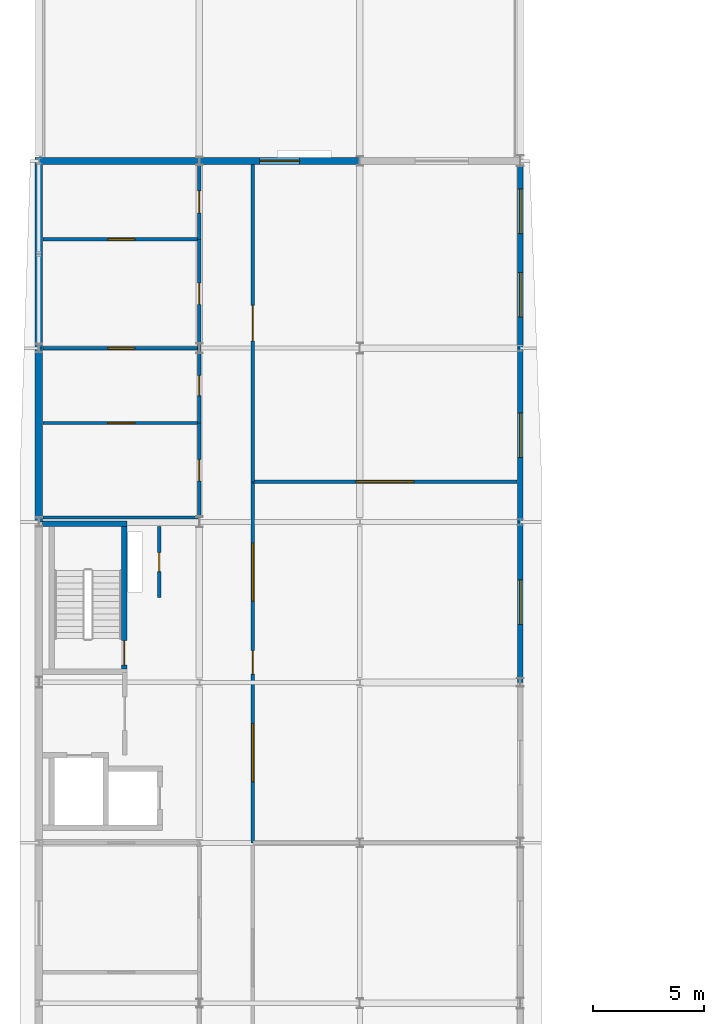
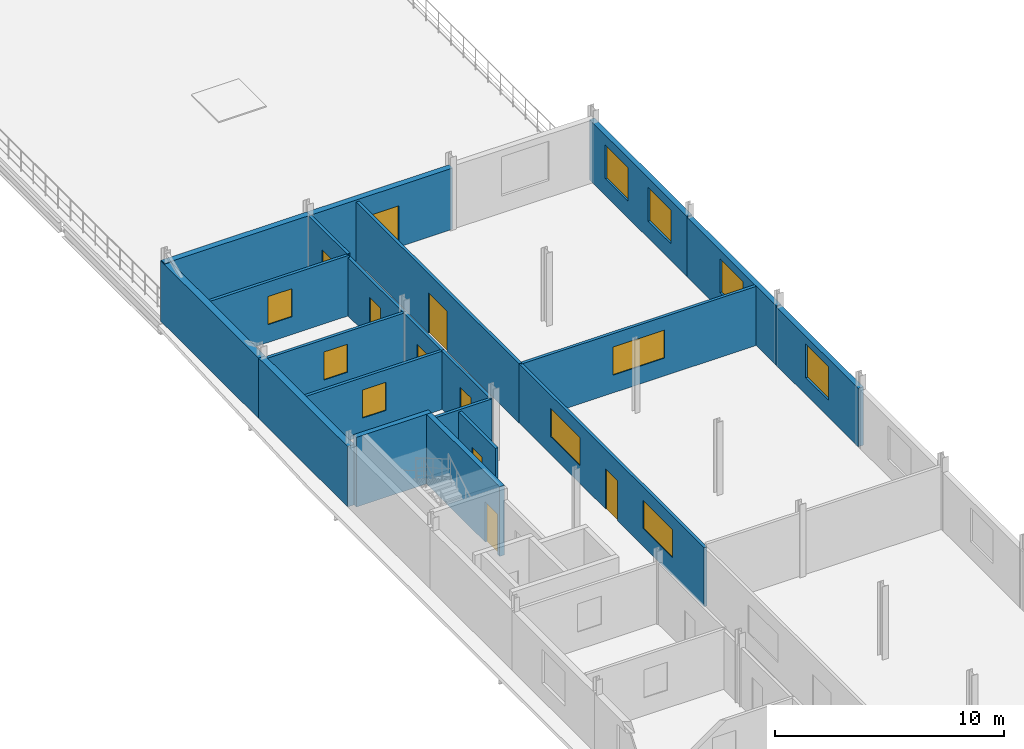
# One storey, part 14 of 17: 21 walls, 10 windows, 9 doors, 19 openings.
"""IFC4 building model written with IfcOpenShell, lengths in metres."""

from ifc_helpers import new_model, si_unit, direction, frame, frame_2d, origin, place, context, subcontext, project, spatial, rectangle, extrude, material, layer, layer_set, type_object, element, fill, save


model = new_model("IFC4")

# Units and contexts
model_context = context("Model", 3, precision=1e-05, world=origin(), true_north=direction((0.0, 1.0)))
body_context = subcontext(model_context, "Body", "Model", "MODEL_VIEW")
ifc_project = project(units=[si_unit("LENGTHUNIT", "METRE"), si_unit("AREAUNIT", "SQUARE_METRE"), si_unit("VOLUMEUNIT", "CUBIC_METRE"), si_unit("PLANEANGLEUNIT", "RADIAN"), si_unit("MASSUNIT", "GRAM", prefix="KILO")], contexts=[model_context])

# Site, building, storey
site_placement = place(None, origin())
site = spatial("IfcSite", under=ifc_project, at=site_placement, CompositionType="ELEMENT")
building_placement = place(site_placement, origin())
building = spatial("IfcBuilding", under=site, at=building_placement, Name="Vinh Khe Railworks Police Headquarters", CompositionType="ELEMENT")
storey_placement = place(building_placement, frame((0.0, 0.0, 24.89990234375)))
storey = spatial("IfcBuildingStorey", under=building, at=storey_placement, Name="L06", CompositionType="ELEMENT", Elevation=24.89990234375)

# Wall
ifc_material_1 = material(Name="Concrete C40/50 (B40)", Category="concrete")
ifc_layer_1 = layer(ifc_material_1, 0.25)
ifc_layer_set_1 = layer_set([ifc_layer_1], Name="Concrete C40/50 (B40)")
wall_type_1 = type_object("IfcWallType", Name="Core Shear Wall 250", PredefinedType="SHEAR", material=ifc_layer_set_1)
wall_1_placement = place(storey_placement, frame((0.75, 88.125, 0.0), z_axis=(0.0, 0.0, 1.0), x_axis=(1.0, 0.0, 0.0)))
element("IfcWall", 1, at=wall_1_placement, inside=storey, type_object=wall_type_1, Name="Core C2 STAIR-N Shear Wall (L06)", PredefinedType="SHEAR", context=body_context, shape_type="SweptSolid", body=[
    extrude(rectangle(XDim=3.800048828125, YDim=0.25, at=frame_2d((1.89990234375, 0.0))), origin(), (0.0, 0.0, 1.0), 3.72021484375),
])

# Wall, opening, door
wall_2_placement = place(storey_placement, frame((4.425048828125, 81.60009765625, 0.0), z_axis=(0.0, 0.0, 1.0), x_axis=(0.0, 1.0, 0.0)))
wall_2 = element("IfcWall", 2, at=wall_2_placement, inside=storey, type_object=wall_type_1, Name="Core C2 STAIR-E Shear Wall (L06)", PredefinedType="SHEAR", context=body_context, shape_type="SweptSolid", body=[
    extrude(rectangle(XDim=6.39990234375, YDim=0.25, at=frame_2d((3.199951171875, 0.0))), origin(), (0.0, 0.0, 1.0), 3.72021484375),
])
opening_1_placement = place(wall_2_placement, frame((0.169921875, 0.0, 0.0)))
opening_1 = element("IfcOpeningElement", 3, at=opening_1_placement, cuts=wall_2, Name="Opening FD-01", PredefinedType="OPENING", context=body_context, shape_type="SweptSolid", body=[
    extrude(rectangle(XDim=1.10009765625, YDim=2.14990234375, at=frame_2d((0.550048828125, 1.074951171875))), frame((0.0, 0.139892578125, 0.0), z_axis=(0.0, -1.0, 0.0), x_axis=(1.0, 0.0, 0.0)), (0.0, 0.0, 1.0), 0.27978515625),
])
ifc_material_2 = material(Name="Painted galvanised steel", Category="steel")
door_type_1 = type_object("IfcDoorType", Name="FD-1100x2150", OperationType="NOTDEFINED", PredefinedType="DOOR", material=ifc_material_2)
door_1_placement = place(opening_1_placement, frame((1.10009765625, 0.0, 0.0), z_axis=(0.0, 0.0, 1.0), x_axis=(-1.0, 0.0, 0.0)))
door_1 = element("IfcDoor", 4, at=door_1_placement, inside=storey, type_object=door_type_1, Name="Escape Stair ST-02 Fire Door L06", OperationType="SINGLE_SWING_LEFT", OverallHeight=2.14990234375, OverallWidth=1.10009765625, PredefinedType="DOOR", context=body_context, shape_type="SweptSolid", body=[
    extrude(rectangle(XDim=1.10009765625, YDim=2.14990234375, at=frame_2d((0.550048828125, 1.074951171875))), frame((0.0, 0.02490234375, 0.0), z_axis=(0.0, -1.0, 0.0), x_axis=(1.0, 0.0, 0.0)), (0.0, 0.0, 1.0), 0.050048828125),
])
fill(opening_1, door_1)

# Wall, opening, window
ifc_material_3 = material(Name="Clay brickwork", Category="masonry")
ifc_layer_2 = layer(ifc_material_3, 0.260009765625)
ifc_layer_set_2 = layer_set([ifc_layer_2], Name="Clay brickwork")
wall_type_2 = type_object("IfcWallType", Name="EW-BRK-260", PredefinedType="SOLIDWALL", material=ifc_layer_set_2)
wall_3_placement = place(storey_placement, frame((22.199951171875, 81.0, 0.0), z_axis=(0.0, 0.0, 1.0), x_axis=(0.0, 1.0, 0.0)))
wall_3 = element("IfcWall", 5, at=wall_3_placement, inside=storey, type_object=wall_type_2, Name="Exterior Brick Wall EW-L06-V5E-11", PredefinedType="SOLIDWALL", context=body_context, shape_type="SweptSolid", body=[
    extrude(rectangle(XDim=7.199951171875, YDim=0.260009765625, at=frame_2d((3.60009765625, 0.0))), origin(), (0.0, 0.0, 1.0), 3.114990234375),
])
opening_2_placement = place(wall_3_placement, frame((2.60009765625, 0.0, 0.89990234375)))
opening_2 = element("IfcOpeningElement", 6, at=opening_2_placement, cuts=wall_3, Name="Opening WN-04", PredefinedType="OPENING", context=body_context, shape_type="SweptSolid", body=[
    extrude(rectangle(XDim=2.0, YDim=1.800048828125, at=frame_2d((1.0, 0.89990234375))), frame((0.0, 0.14501953125, 0.0), z_axis=(0.0, -1.0, 0.0), x_axis=(1.0, 0.0, 0.0)), (0.0, 0.0, 1.0), 0.289794921875),
])
ifc_material_4 = material(Name="Double-glazed solar-control glass in dark steel frame", Category="steel")
window_type_1 = type_object("IfcWindowType", Name="WIN-WN-04", PartitioningType="DOUBLE_PANEL_VERTICAL", PredefinedType="WINDOW", material=ifc_material_4)
window_1_placement = place(opening_2_placement, origin())
window_1 = element("IfcWindow", 7, at=window_1_placement, inside=storey, type_object=window_type_1, Name="Casement Window WN-04", OverallHeight=1.800048828125, OverallWidth=2.0, PartitioningType="SINGLE_PANEL", PredefinedType="WINDOW", context=body_context, shape_type="SweptSolid", body=[
    extrude(rectangle(XDim=2.0, YDim=1.800048828125, at=frame_2d((1.0, 0.89990234375))), frame((0.0, 0.030029296875, 0.0), z_axis=(0.0, -1.0, 0.0), x_axis=(1.0, 0.0, 0.0)), (0.0, 0.0, 1.0), 0.06005859375),
])
fill(opening_2, window_1)

wall_4_placement = place(storey_placement, frame((22.199951171875, 88.199951171875, 0.0), z_axis=(0.0, 0.0, 1.0), x_axis=(0.0, 1.0, 0.0)))
wall_4 = element("IfcWall", 8, at=wall_4_placement, inside=storey, type_object=wall_type_2, Name="Exterior Brick Wall EW-L06-V5E-12", PredefinedType="SOLIDWALL", context=body_context, shape_type="SweptSolid", body=[
    extrude(rectangle(XDim=7.800048828125, YDim=0.260009765625, at=frame_2d((3.89990234375, 0.0))), origin(), (0.0, 0.0, 1.0), 3.1650390625),
])
opening_3_placement = place(wall_4_placement, frame((2.89990234375, 0.0, 0.89990234375)))
opening_3 = element("IfcOpeningElement", 9, at=opening_3_placement, cuts=wall_4, Name="Opening WN-04", PredefinedType="OPENING", context=body_context, shape_type="SweptSolid", body=[
    extrude(rectangle(XDim=2.0, YDim=1.800048828125, at=frame_2d((1.0, 0.89990234375))), frame((0.0, 0.14501953125, 0.0), z_axis=(0.0, -1.0, 0.0), x_axis=(1.0, 0.0, 0.0)), (0.0, 0.0, 1.0), 0.289794921875),
])
window_2_placement = place(opening_3_placement, origin())
window_2 = element("IfcWindow", 10, at=window_2_placement, inside=storey, type_object=window_type_1, Name="Casement Window WN-04", OverallHeight=1.800048828125, OverallWidth=2.0, PartitioningType="SINGLE_PANEL", PredefinedType="WINDOW", context=body_context, shape_type="SweptSolid", body=[
    extrude(rectangle(XDim=2.0, YDim=1.800048828125, at=frame_2d((1.0, 0.89990234375))), frame((0.0, 0.030029296875, 0.0), z_axis=(0.0, -1.0, 0.0), x_axis=(1.0, 0.0, 0.0)), (0.0, 0.0, 1.0), 0.06005859375),
])
fill(opening_3, window_2)

# Wall, openings, windows
wall_5_placement = place(storey_placement, frame((22.199951171875, 96.0, 0.0), z_axis=(0.0, 0.0, 1.0), x_axis=(0.0, 1.0, 0.0)))
wall_5 = element("IfcWall", 11, at=wall_5_placement, inside=storey, type_object=wall_type_2, Name="Exterior Brick Wall EW-L06-V5E-13", PredefinedType="SOLIDWALL", context=body_context, shape_type="SweptSolid", body=[
    extrude(rectangle(XDim=8.530029296875, YDim=0.260009765625, at=frame_2d((4.26513671875, 0.0))), origin(), (0.0, 0.0, 1.0), 3.215087890625),
])
opening_4_placement = place(wall_5_placement, frame((1.388427734375, 0.0, 0.89990234375)))
opening_4 = element("IfcOpeningElement", 12, at=opening_4_placement, cuts=wall_5, Name="Opening WN-04", PredefinedType="OPENING", context=body_context, shape_type="SweptSolid", body=[
    extrude(rectangle(XDim=2.0, YDim=1.800048828125, at=frame_2d((1.0, 0.89990234375))), frame((0.0, 0.14501953125, 0.0), z_axis=(0.0, -1.0, 0.0), x_axis=(1.0, 0.0, 0.0)), (0.0, 0.0, 1.0), 0.289794921875),
])
opening_5_placement = place(wall_5_placement, frame((5.1416015625, 0.0, 0.89990234375)))
opening_5 = element("IfcOpeningElement", 13, at=opening_5_placement, cuts=wall_5, Name="Opening WN-04", PredefinedType="OPENING", context=body_context, shape_type="SweptSolid", body=[
    extrude(rectangle(XDim=2.0, YDim=1.800048828125, at=frame_2d((1.0, 0.89990234375))), frame((0.0, 0.14501953125, 0.0), z_axis=(0.0, -1.0, 0.0), x_axis=(1.0, 0.0, 0.0)), (0.0, 0.0, 1.0), 0.289794921875),
])
window_3_placement = place(opening_4_placement, origin())
window_3 = element("IfcWindow", 14, at=window_3_placement, inside=storey, type_object=window_type_1, Name="Casement Window WN-04", OverallHeight=1.800048828125, OverallWidth=2.0, PartitioningType="SINGLE_PANEL", PredefinedType="WINDOW", context=body_context, shape_type="SweptSolid", body=[
    extrude(rectangle(XDim=2.0, YDim=1.800048828125, at=frame_2d((1.0, 0.89990234375))), frame((0.0, 0.030029296875, 0.0), z_axis=(0.0, -1.0, 0.0), x_axis=(1.0, 0.0, 0.0)), (0.0, 0.0, 1.0), 0.06005859375),
])
fill(opening_4, window_3)
window_4_placement = place(opening_5_placement, origin())
window_4 = element("IfcWindow", 15, at=window_4_placement, inside=storey, type_object=window_type_1, Name="Casement Window WN-04", OverallHeight=1.800048828125, OverallWidth=2.0, PartitioningType="SINGLE_PANEL", PredefinedType="WINDOW", context=body_context, shape_type="SweptSolid", body=[
    extrude(rectangle(XDim=2.0, YDim=1.800048828125, at=frame_2d((1.0, 0.89990234375))), frame((0.0, 0.030029296875, 0.0), z_axis=(0.0, -1.0, 0.0), x_axis=(1.0, 0.0, 0.0)), (0.0, 0.0, 1.0), 0.06005859375),
])
fill(opening_5, window_4)

# Wall
ifc_layer_3 = layer(ifc_material_3, 0.300048828125)
ifc_layer_set_3 = layer_set([ifc_layer_3], Name="Clay brickwork")
wall_type_3 = type_object("IfcWallType", Name="EW-BRK-300", PredefinedType="SOLIDWALL", material=ifc_layer_set_3)
wall_6_placement = place(storey_placement, frame((0.449951171875, 104.39990234375, 0.0), z_axis=(0.0, 0.0, 1.0), x_axis=(1.0, 0.0, 0.0)))
element("IfcWall", 16, at=wall_6_placement, inside=storey, type_object=wall_type_3, Name="Exterior Brick Wall EW-L06-V5N-01", PredefinedType="SOLIDWALL", context=body_context, shape_type="SweptSolid", body=[
    extrude(rectangle(XDim=7.35009765625, YDim=0.300048828125, at=frame_2d((3.675048828125, 0.0))), origin(), (0.0, 0.0, 1.0), 3.26513671875),
])

# Wall, opening, door
wall_7_placement = place(storey_placement, frame((7.800048828125, 104.39990234375, 0.0), z_axis=(0.0, 0.0, 1.0), x_axis=(1.0, 0.0, 0.0)))
wall_7 = element("IfcWall", 17, at=wall_7_placement, inside=storey, type_object=wall_type_3, Name="Exterior Brick Wall EW-L06-V5N-02", PredefinedType="SOLIDWALL", context=body_context, shape_type="SweptSolid", body=[
    extrude(rectangle(XDim=7.199951171875, YDim=0.300048828125, at=frame_2d((3.60009765625, 0.0))), origin(), (0.0, 0.0, 1.0), 3.26513671875),
])
opening_6_placement = place(wall_7_placement, frame((2.699951171875, 0.0, 0.0)))
opening_6 = element("IfcOpeningElement", 18, at=opening_6_placement, cuts=wall_7, Name="Opening ED-03", PredefinedType="OPENING", context=body_context, shape_type="SweptSolid", body=[
    extrude(rectangle(XDim=1.800048828125, YDim=2.199951171875, at=frame_2d((0.89990234375, 1.10009765625))), frame((0.0, 0.1650390625, 0.0), z_axis=(0.0, -1.0, 0.0), x_axis=(1.0, 0.0, 0.0)), (0.0, 0.0, 1.0), 0.329833984375),
])
ifc_material_5 = material(Name="Dark anodised aluminium and solar-control glass", Category="aluminium")
door_type_2 = type_object("IfcDoorType", Name="ED-TER-1800", OperationType="DOUBLE_DOOR_SINGLE_SWING", PredefinedType="DOOR", material=ifc_material_5)
door_2_placement = place(opening_6_placement, origin())
door_2 = element("IfcDoor", 19, at=door_2_placement, inside=storey, type_object=door_type_2, Name="North Planted Roof Terrace Access Door", OperationType="DOUBLE_DOOR_SINGLE_SWING", OverallHeight=2.199951171875, OverallWidth=1.800048828125, PredefinedType="DOOR", context=body_context, shape_type="SweptSolid", body=[
    extrude(rectangle(XDim=1.800048828125, YDim=2.199951171875, at=frame_2d((0.89990234375, 1.10009765625))), frame((0.0, 0.02490234375, 0.0), z_axis=(0.0, -1.0, 0.0), x_axis=(1.0, 0.0, 0.0)), (0.0, 0.0, 1.0), 0.050048828125),
])
fill(opening_6, door_2)

# Walls
ifc_layer_4 = layer(ifc_material_3, 0.340087890625)
ifc_layer_set_4 = layer_set([ifc_layer_4], Name="Clay brickwork")
wall_type_4 = type_object("IfcWallType", Name="EW-BRK-340", PredefinedType="SOLIDWALL", material=ifc_layer_set_4)
wall_8_placement = place(storey_placement, frame((0.60009765625, 88.199951171875, 0.0), z_axis=(0.0, 0.0, 1.0), x_axis=(0.0, 1.0, 0.0)))
element("IfcWall", 20, at=wall_8_placement, inside=storey, type_object=wall_type_4, Name="Exterior Brick Wall EW-L06-V5W-12", PredefinedType="SOLIDWALL", context=body_context, shape_type="SweptSolid", body=[
    extrude(rectangle(XDim=7.800048828125, YDim=0.340087890625, at=frame_2d((3.89990234375, 0.0))), origin(), (0.0, 0.0, 1.0), 3.22509765625),
])
wall_9_placement = place(storey_placement, frame((0.60009765625, 96.0, 0.0), z_axis=(0.0, 0.0, 1.0), x_axis=(0.0, 1.0, 0.0)))
element("IfcWall", 21, at=wall_9_placement, inside=storey, type_object=wall_type_4, Name="Exterior Brick Wall EW-L06-V5W-13", PredefinedType="SOLIDWALL", context=body_context, shape_type="SweptSolid", body=[
    extrude(rectangle(XDim=8.570068359375, YDim=0.340087890625, at=frame_2d((4.28515625, 0.0))), origin(), (0.0, 0.0, 1.0), 3.22509765625),
])

# Wall, opening, window
ifc_material_6 = material(Name="Gypsum plasterboard on steel stud", Category="steel")
ifc_layer_5 = layer(ifc_material_6, 0.1201171875)
ifc_layer_set_5 = layer_set([ifc_layer_5], Name="Gypsum plasterboard on steel stud")
wall_type_5 = type_object("IfcWallType", Name="IW-PART-120", PredefinedType="PARTITIONING", material=ifc_layer_set_5)
wall_10_placement = place(storey_placement, frame((0.780029296875, 92.64208984375, 0.0), z_axis=(0.0, 0.0, 1.0), x_axis=(1.0, 0.0, 0.0)))
wall_10 = element("IfcWall", 22, at=wall_10_placement, inside=storey, type_object=wall_type_5, Name="Interior Partition W-L06-V5-WCL6S-DIV", PredefinedType="PARTITIONING", context=body_context, shape_type="SweptSolid", body=[
    extrude(rectangle(XDim=7.02001953125, YDim=0.14990234375, at=frame_2d((3.510009765625, 0.0))), origin(), (0.0, 0.0, 1.0), 3.114990234375),
])
opening_7_placement = place(wall_10_placement, frame((2.909912109375, 0.0, 0.949951171875)))
opening_7 = element("IfcOpeningElement", 23, at=opening_7_placement, cuts=wall_10, Name="Opening WN-10", PredefinedType="OPENING", context=body_context, shape_type="SweptSolid", body=[
    extrude(rectangle(XDim=1.199951171875, YDim=1.5, at=frame_2d((0.60009765625, 0.75))), frame((0.0, 0.08984375, 0.0), z_axis=(0.0, -1.0, 0.0), x_axis=(1.0, 0.0, 0.0)), (0.0, 0.0, 1.0), 0.1796875),
])
window_type_2 = type_object("IfcWindowType", Name="WIN-WN-10", PartitioningType="SINGLE_PANEL", PredefinedType="WINDOW", material=ifc_material_4)
window_5_placement = place(opening_7_placement, origin())
window_5 = element("IfcWindow", 24, at=window_5_placement, inside=storey, type_object=window_type_2, Name="Interior Acoustic Vision Window WN-10", OverallHeight=1.5, OverallWidth=1.199951171875, PartitioningType="SINGLE_PANEL", PredefinedType="WINDOW", context=body_context, shape_type="SweptSolid", body=[
    extrude(rectangle(XDim=1.199951171875, YDim=1.5, at=frame_2d((0.60009765625, 0.75))), frame((0.0, 0.030029296875, 0.0), z_axis=(0.0, -1.0, 0.0), x_axis=(1.0, 0.0, 0.0)), (0.0, 0.0, 1.0), 0.06005859375),
])
fill(opening_7, window_5)

# Wall
wall_11_placement = place(storey_placement, frame((0.780029296875, 88.39990234375, 0.0), z_axis=(0.0, 0.0, 1.0), x_axis=(1.0, 0.0, 0.0)))
element("IfcWall", 25, at=wall_11_placement, inside=storey, type_object=wall_type_5, Name="Interior Partition W-L06-V5-WCL6-DIV", PredefinedType="PARTITIONING", context=body_context, shape_type="SweptSolid", body=[
    extrude(rectangle(XDim=7.02001953125, YDim=0.14990234375, at=frame_2d((3.510009765625, 0.0))), origin(), (0.0, 0.0, 1.0), 3.114990234375),
])

# Wall, opening, window
wall_12_placement = place(storey_placement, frame((0.780029296875, 100.882080078125, 0.0), z_axis=(0.0, 0.0, 1.0), x_axis=(1.0, 0.0, 0.0)))
wall_12 = element("IfcWall", 26, at=wall_12_placement, inside=storey, type_object=wall_type_5, Name="Interior Partition W-L06-V5-AWCL6S-DIV", PredefinedType="PARTITIONING", context=body_context, shape_type="SweptSolid", body=[
    extrude(rectangle(XDim=7.02001953125, YDim=0.14990234375, at=frame_2d((3.510009765625, 0.0))), origin(), (0.0, 0.0, 1.0), 3.22509765625),
])
opening_8_placement = place(wall_12_placement, frame((2.909912109375, 0.0, 0.949951171875)))
opening_8 = element("IfcOpeningElement", 27, at=opening_8_placement, cuts=wall_12, Name="Opening WN-10", PredefinedType="OPENING", context=body_context, shape_type="SweptSolid", body=[
    extrude(rectangle(XDim=1.199951171875, YDim=1.5, at=frame_2d((0.60009765625, 0.75))), frame((0.0, 0.08984375, 0.0), z_axis=(0.0, -1.0, 0.0), x_axis=(1.0, 0.0, 0.0)), (0.0, 0.0, 1.0), 0.1796875),
])
window_6_placement = place(opening_8_placement, origin())
window_6 = element("IfcWindow", 28, at=window_6_placement, inside=storey, type_object=window_type_2, Name="Interior Acoustic Vision Window WN-10", OverallHeight=1.5, OverallWidth=1.199951171875, PartitioningType="SINGLE_PANEL", PredefinedType="WINDOW", context=body_context, shape_type="SweptSolid", body=[
    extrude(rectangle(XDim=1.199951171875, YDim=1.5, at=frame_2d((0.60009765625, 0.75))), frame((0.0, 0.030029296875, 0.0), z_axis=(0.0, -1.0, 0.0), x_axis=(1.0, 0.0, 0.0)), (0.0, 0.0, 1.0), 0.06005859375),
])
fill(opening_8, window_6)

wall_13_placement = place(storey_placement, frame((0.780029296875, 96.0, 0.0), z_axis=(0.0, 0.0, 1.0), x_axis=(1.0, 0.0, 0.0)))
wall_13 = element("IfcWall", 29, at=wall_13_placement, inside=storey, type_object=wall_type_5, Name="Interior Partition W-L06-V5-AWCL6-DIV", PredefinedType="PARTITIONING", context=body_context, shape_type="SweptSolid", body=[
    extrude(rectangle(XDim=7.02001953125, YDim=0.14990234375, at=frame_2d((3.510009765625, 0.0))), origin(), (0.0, 0.0, 1.0), 3.114990234375),
])
opening_9_placement = place(wall_13_placement, frame((2.909912109375, 0.0, 0.949951171875)))
opening_9 = element("IfcOpeningElement", 30, at=opening_9_placement, cuts=wall_13, Name="Opening WN-10", PredefinedType="OPENING", context=body_context, shape_type="SweptSolid", body=[
    extrude(rectangle(XDim=1.199951171875, YDim=1.5, at=frame_2d((0.60009765625, 0.75))), frame((0.0, 0.08984375, 0.0), z_axis=(0.0, -1.0, 0.0), x_axis=(1.0, 0.0, 0.0)), (0.0, 0.0, 1.0), 0.1796875),
])
window_7_placement = place(opening_9_placement, origin())
window_7 = element("IfcWindow", 31, at=window_7_placement, inside=storey, type_object=window_type_2, Name="Interior Acoustic Vision Window WN-10", OverallHeight=1.5, OverallWidth=1.199951171875, PartitioningType="SINGLE_PANEL", PredefinedType="WINDOW", context=body_context, shape_type="SweptSolid", body=[
    extrude(rectangle(XDim=1.199951171875, YDim=1.5, at=frame_2d((0.60009765625, 0.75))), frame((0.0, 0.030029296875, 0.0), z_axis=(0.0, -1.0, 0.0), x_axis=(1.0, 0.0, 0.0)), (0.0, 0.0, 1.0), 0.06005859375),
])
fill(opening_9, window_7)

wall_14_placement = place(storey_placement, frame((10.199951171875, 90.0, 0.0), z_axis=(0.0, 0.0, 1.0), x_axis=(1.0, 0.0, 0.0)))
wall_14 = element("IfcWall", 32, at=wall_14_placement, inside=storey, type_object=wall_type_5, Name="Interior Partition W-L06-V5-TLNG6-DIV", PredefinedType="PARTITIONING", context=body_context, shape_type="SweptSolid", body=[
    extrude(rectangle(XDim=11.860107421875, YDim=0.14990234375, at=frame_2d((5.93017578125, 0.0))), origin(), (0.0, 0.0, 1.0), 3.1650390625),
])
opening_10_placement = place(wall_14_placement, frame((4.6298828125, 0.0, 0.949951171875)))
opening_10 = element("IfcOpeningElement", 33, at=opening_10_placement, cuts=wall_14, Name="Opening WN-07", PredefinedType="OPENING", context=body_context, shape_type="SweptSolid", body=[
    extrude(rectangle(XDim=2.60009765625, YDim=1.5, at=frame_2d((1.300048828125, 0.75))), frame((0.0, 0.08984375, 0.0), z_axis=(0.0, -1.0, 0.0), x_axis=(1.0, 0.0, 0.0)), (0.0, 0.0, 1.0), 0.1796875),
])
window_type_3 = type_object("IfcWindowType", Name="WIN-WN-07", PartitioningType="DOUBLE_PANEL_HORIZONTAL", PredefinedType="WINDOW", material=ifc_material_4)
window_8_placement = place(opening_10_placement, origin())
window_8 = element("IfcWindow", 34, at=window_8_placement, inside=storey, type_object=window_type_3, Name="Interior Acoustic Vision Window WN-07", OverallHeight=1.5, OverallWidth=2.60009765625, PartitioningType="SINGLE_PANEL", PredefinedType="WINDOW", context=body_context, shape_type="SweptSolid", body=[
    extrude(rectangle(XDim=2.60009765625, YDim=1.5, at=frame_2d((1.300048828125, 0.75))), frame((0.0, 0.030029296875, 0.0), z_axis=(0.0, -1.0, 0.0), x_axis=(1.0, 0.0, 0.0)), (0.0, 0.0, 1.0), 0.06005859375),
])
fill(opening_10, window_8)

# Wall, opening, door
ifc_material_7 = material(Name="Gypsum plasterboard on acoustic steel stud", Category="steel")
ifc_layer_6 = layer(ifc_material_7, 0.14990234375)
ifc_layer_set_6 = layer_set([ifc_layer_6], Name="Gypsum plasterboard on acoustic steel stud")
wall_type_6 = type_object("IfcWallType", Name="IW-PART-150", PredefinedType="PARTITIONING", material=ifc_layer_set_6)
wall_15_placement = place(storey_placement, frame((6.0, 84.800048828125, 0.0), z_axis=(0.0, 0.0, 1.0), x_axis=(0.0, 1.0, 0.0)))
wall_15 = element("IfcWall", 35, at=wall_15_placement, inside=storey, type_object=wall_type_6, Name="Interior Partition W-RSR-C2-E-L06", PredefinedType="PARTITIONING", context=body_context, shape_type="SweptSolid", body=[
    extrude(rectangle(XDim=3.199951171875, YDim=0.14990234375, at=frame_2d((1.60009765625, 0.0))), origin(), (0.0, 0.0, 1.0), 3.26513671875),
])
opening_11_placement = place(wall_15_placement, frame((1.175048828125, 0.0, 0.0)))
opening_11 = element("IfcOpeningElement", 36, at=opening_11_placement, cuts=wall_15, Name="Opening FD-04", PredefinedType="OPENING", context=body_context, shape_type="SweptSolid", body=[
    extrude(rectangle(XDim=0.85009765625, YDim=2.10009765625, at=frame_2d((0.425048828125, 1.050048828125))), frame((0.0, 0.08984375, 0.0), z_axis=(0.0, -1.0, 0.0), x_axis=(1.0, 0.0, 0.0)), (0.0, 0.0, 1.0), 0.1796875),
])
door_type_3 = type_object("IfcDoorType", Name="FD-850x2100", OperationType="NOTDEFINED", PredefinedType="DOOR", material=ifc_material_2)
door_3_placement = place(opening_11_placement, origin())
door_3 = element("IfcDoor", 37, at=door_3_placement, inside=storey, type_object=door_type_3, Name="Wet Riser Access Door", OperationType="SINGLE_SWING_RIGHT", OverallHeight=2.10009765625, OverallWidth=0.85009765625, PredefinedType="DOOR", context=body_context, shape_type="SweptSolid", body=[
    extrude(rectangle(XDim=0.85009765625, YDim=2.10009765625, at=frame_2d((0.425048828125, 1.050048828125))), frame((0.0, 0.02490234375, 0.0), z_axis=(0.0, -1.0, 0.0), x_axis=(1.0, 0.0, 0.0)), (0.0, 0.0, 1.0), 0.050048828125),
])
fill(opening_11, door_3)

wall_16_placement = place(storey_placement, frame((7.800048828125, 88.39990234375, 0.0), z_axis=(0.0, 0.0, 1.0), x_axis=(0.0, 1.0, 0.0)))
wall_16 = element("IfcWall", 38, at=wall_16_placement, inside=storey, type_object=wall_type_6, Name="Interior Partition W-L06-V5-WCL6S-CW", PredefinedType="PARTITIONING", context=body_context, shape_type="SweptSolid", body=[
    extrude(rectangle(XDim=4.2421875, YDim=0.14990234375, at=frame_2d((2.12109375, 0.0))), origin(), (0.0, 0.0, 1.0), 3.114990234375),
])
opening_12_placement = place(wall_16_placement, frame((1.64599609375, 0.0, 0.0)))
opening_12 = element("IfcOpeningElement", 39, at=opening_12_placement, cuts=wall_16, Name="Opening D-01", PredefinedType="OPENING", context=body_context, shape_type="SweptSolid", body=[
    extrude(rectangle(XDim=0.949951171875, YDim=2.14990234375, at=frame_2d((0.47509765625, 1.074951171875))), frame((0.0, 0.08984375, 0.0), z_axis=(0.0, -1.0, 0.0), x_axis=(1.0, 0.0, 0.0)), (0.0, 0.0, 1.0), 0.1796875),
])
ifc_material_8 = material(Name="Seasoned hardwood timber", Category="wood")
door_type_4 = type_object("IfcDoorType", Name="ID-950x2150", OperationType="NOTDEFINED", PredefinedType="DOOR", material=ifc_material_8)
door_4_placement = place(opening_12_placement, origin())
door_4 = element("IfcDoor", 40, at=door_4_placement, inside=storey, type_object=door_type_4, Name="Floor Supplies Store Door", OperationType="SINGLE_SWING_RIGHT", OverallHeight=2.14990234375, OverallWidth=0.949951171875, PredefinedType="DOOR", context=body_context, shape_type="SweptSolid", body=[
    extrude(rectangle(XDim=0.949951171875, YDim=2.14990234375, at=frame_2d((0.47509765625, 1.074951171875))), frame((0.0, 0.02490234375, 0.0), z_axis=(0.0, -1.0, 0.0), x_axis=(1.0, 0.0, 0.0)), (0.0, 0.0, 1.0), 0.050048828125),
])
fill(opening_12, door_4)

wall_17_placement = place(storey_placement, frame((7.800048828125, 92.64208984375, 0.0), z_axis=(0.0, 0.0, 1.0), x_axis=(0.0, 1.0, 0.0)))
wall_17 = element("IfcWall", 41, at=wall_17_placement, inside=storey, type_object=wall_type_6, Name="Interior Partition W-L06-V5-WCL6-CW", PredefinedType="PARTITIONING", context=body_context, shape_type="SweptSolid", body=[
    extrude(rectangle(XDim=3.35791015625, YDim=0.14990234375, at=frame_2d((1.678955078125, 0.0))), origin(), (0.0, 0.0, 1.0), 3.114990234375),
])
opening_13_placement = place(wall_17_placement, frame((1.22900390625, 0.0, 0.0)))
opening_13 = element("IfcOpeningElement", 42, at=opening_13_placement, cuts=wall_17, Name="Opening D-04", PredefinedType="OPENING", context=body_context, shape_type="SweptSolid", body=[
    extrude(rectangle(XDim=0.89990234375, YDim=2.14990234375, at=frame_2d((0.449951171875, 1.074951171875))), frame((0.0, 0.08984375, 0.0), z_axis=(0.0, -1.0, 0.0), x_axis=(1.0, 0.0, 0.0)), (0.0, 0.0, 1.0), 0.1796875),
])
door_type_5 = type_object("IfcDoorType", Name="ID-900x2150", OperationType="NOTDEFINED", PredefinedType="DOOR", material=ifc_material_8)
door_5_placement = place(opening_13_placement, origin())
door_5 = element("IfcDoor", 43, at=door_5_placement, inside=storey, type_object=door_type_5, Name="Staff WC L06 Door", OperationType="SINGLE_SWING_LEFT", OverallHeight=2.14990234375, OverallWidth=0.89990234375, PredefinedType="DOOR", context=body_context, shape_type="SweptSolid", body=[
    extrude(rectangle(XDim=0.89990234375, YDim=2.14990234375, at=frame_2d((0.449951171875, 1.074951171875))), frame((0.0, 0.02490234375, 0.0), z_axis=(0.0, -1.0, 0.0), x_axis=(1.0, 0.0, 0.0)), (0.0, 0.0, 1.0), 0.050048828125),
])
fill(opening_13, door_5)

wall_18_placement = place(storey_placement, frame((7.800048828125, 96.0, 0.0), z_axis=(0.0, 0.0, 1.0), x_axis=(0.0, 1.0, 0.0)))
wall_18 = element("IfcWall", 44, at=wall_18_placement, inside=storey, type_object=wall_type_6, Name="Interior Partition W-L06-V5-AWCL6S-CW", PredefinedType="PARTITIONING", context=body_context, shape_type="SweptSolid", body=[
    extrude(rectangle(XDim=4.882080078125, YDim=0.14990234375, at=frame_2d((2.44091796875, 0.0))), origin(), (0.0, 0.0, 1.0), 3.114990234375),
])
opening_14_placement = place(wall_18_placement, frame((1.966064453125, 0.0, 0.0)))
opening_14 = element("IfcOpeningElement", 45, at=opening_14_placement, cuts=wall_18, Name="Opening D-01", PredefinedType="OPENING", context=body_context, shape_type="SweptSolid", body=[
    extrude(rectangle(XDim=0.949951171875, YDim=2.14990234375, at=frame_2d((0.47509765625, 1.074951171875))), frame((0.0, 0.08984375, 0.0), z_axis=(0.0, -1.0, 0.0), x_axis=(1.0, 0.0, 0.0)), (0.0, 0.0, 1.0), 0.1796875),
])
door_6_placement = place(opening_14_placement, origin())
door_6 = element("IfcDoor", 46, at=door_6_placement, inside=storey, type_object=door_type_4, Name="Floor Supplies Store Door", OperationType="SINGLE_SWING_RIGHT", OverallHeight=2.14990234375, OverallWidth=0.949951171875, PredefinedType="DOOR", context=body_context, shape_type="SweptSolid", body=[
    extrude(rectangle(XDim=0.949951171875, YDim=2.14990234375, at=frame_2d((0.47509765625, 1.074951171875))), frame((0.0, 0.02490234375, 0.0), z_axis=(0.0, -1.0, 0.0), x_axis=(1.0, 0.0, 0.0)), (0.0, 0.0, 1.0), 0.050048828125),
])
fill(opening_14, door_6)

wall_19_placement = place(storey_placement, frame((7.800048828125, 100.882080078125, 0.0), z_axis=(0.0, 0.0, 1.0), x_axis=(0.0, 1.0, 0.0)))
wall_19 = element("IfcWall", 47, at=wall_19_placement, inside=storey, type_object=wall_type_6, Name="Interior Partition W-L06-V5-AWCL6-CW", PredefinedType="PARTITIONING", context=body_context, shape_type="SweptSolid", body=[
    extrude(rectangle(XDim=3.35791015625, YDim=0.14990234375, at=frame_2d((1.678955078125, 0.0))), origin(), (0.0, 0.0, 1.0), 3.26513671875),
])
opening_15_placement = place(wall_19_placement, frame((1.178955078125, 0.0, 0.0)))
opening_15 = element("IfcOpeningElement", 48, at=opening_15_placement, cuts=wall_19, Name="Opening D-05", PredefinedType="OPENING", context=body_context, shape_type="SweptSolid", body=[
    extrude(rectangle(XDim=1.0, YDim=2.14990234375, at=frame_2d((0.5, 1.074951171875))), frame((0.0, 0.08984375, 0.0), z_axis=(0.0, -1.0, 0.0), x_axis=(1.0, 0.0, 0.0)), (0.0, 0.0, 1.0), 0.1796875),
])
door_type_6 = type_object("IfcDoorType", Name="ID-1000x2150", OperationType="NOTDEFINED", PredefinedType="DOOR", material=ifc_material_8)
door_7_placement = place(opening_15_placement, origin())
door_7 = element("IfcDoor", 49, at=door_7_placement, inside=storey, type_object=door_type_6, Name="Accessible WC L06 Door", OperationType="SINGLE_SWING_LEFT", OverallHeight=2.14990234375, OverallWidth=1.0, PredefinedType="DOOR", context=body_context, shape_type="SweptSolid", body=[
    extrude(rectangle(XDim=1.0, YDim=2.14990234375, at=frame_2d((0.5, 1.074951171875))), frame((0.0, 0.02490234375, 0.0), z_axis=(0.0, -1.0, 0.0), x_axis=(1.0, 0.0, 0.0)), (0.0, 0.0, 1.0), 0.050048828125),
])
fill(opening_15, door_7)

# Wall, openings, door, windows
wall_20_placement = place(storey_placement, frame((10.199951171875, 73.800048828125, 0.0), z_axis=(0.0, 0.0, 1.0), x_axis=(0.0, 1.0, 0.0)))
wall_20 = element("IfcWall", 50, at=wall_20_placement, inside=storey, type_object=wall_type_6, Name="Interior Partition W-L06-V5-NARC3-CE", PredefinedType="PARTITIONING", context=body_context, shape_type="SweptSolid", body=[
    extrude(rectangle(XDim=16.199951171875, YDim=0.14990234375, at=frame_2d((8.10009765625, 0.0))), origin(), (0.0, 0.0, 1.0), 3.1650390625),
])
opening_16_placement = place(wall_20_placement, frame((7.574951171875, 0.0, 0.0)))
opening_16 = element("IfcOpeningElement", 51, at=opening_16_placement, cuts=wall_20, Name="Opening D-02", PredefinedType="OPENING", context=body_context, shape_type="SweptSolid", body=[
    extrude(rectangle(XDim=1.050048828125, YDim=2.14990234375, at=frame_2d((0.52490234375, 1.074951171875))), frame((0.0, 0.08984375, 0.0), z_axis=(0.0, -1.0, 0.0), x_axis=(1.0, 0.0, 0.0)), (0.0, 0.0, 1.0), 0.1796875),
])
opening_17_placement = place(wall_20_placement, frame((2.75, 0.0, 0.949951171875)))
opening_17 = element("IfcOpeningElement", 52, at=opening_17_placement, cuts=wall_20, Name="Opening WN-07", PredefinedType="OPENING", context=body_context, shape_type="SweptSolid", body=[
    extrude(rectangle(XDim=2.60009765625, YDim=1.5, at=frame_2d((1.300048828125, 0.75))), frame((0.0, 0.08984375, 0.0), z_axis=(0.0, -1.0, 0.0), x_axis=(1.0, 0.0, 0.0)), (0.0, 0.0, 1.0), 0.1796875),
])
opening_18_placement = place(wall_20_placement, frame((10.85009765625, 0.0, 0.949951171875)))
opening_18 = element("IfcOpeningElement", 53, at=opening_18_placement, cuts=wall_20, Name="Opening WN-07", PredefinedType="OPENING", context=body_context, shape_type="SweptSolid", body=[
    extrude(rectangle(XDim=2.60009765625, YDim=1.5, at=frame_2d((1.300048828125, 0.75))), frame((0.0, 0.08984375, 0.0), z_axis=(0.0, -1.0, 0.0), x_axis=(1.0, 0.0, 0.0)), (0.0, 0.0, 1.0), 0.1796875),
])
door_type_7 = type_object("IfcDoorType", Name="ID-1050x2150", OperationType="NOTDEFINED", PredefinedType="DOOR", material=ifc_material_8)
door_8_placement = place(opening_16_placement, origin())
door_8 = element("IfcDoor", 54, at=door_8_placement, inside=storey, type_object=door_type_7, Name="Customs and Border Liaison Office Door", OperationType="SINGLE_SWING_RIGHT", OverallHeight=2.14990234375, OverallWidth=1.050048828125, PredefinedType="DOOR", context=body_context, shape_type="SweptSolid", body=[
    extrude(rectangle(XDim=1.050048828125, YDim=2.14990234375, at=frame_2d((0.52490234375, 1.074951171875))), frame((0.0, 0.02490234375, 0.0), z_axis=(0.0, -1.0, 0.0), x_axis=(1.0, 0.0, 0.0)), (0.0, 0.0, 1.0), 0.050048828125),
])
fill(opening_16, door_8)
window_9_placement = place(opening_17_placement, origin())
window_9 = element("IfcWindow", 55, at=window_9_placement, inside=storey, type_object=window_type_3, Name="Interior Acoustic Vision Window WN-07", OverallHeight=1.5, OverallWidth=2.60009765625, PartitioningType="SINGLE_PANEL", PredefinedType="WINDOW", context=body_context, shape_type="SweptSolid", body=[
    extrude(rectangle(XDim=2.60009765625, YDim=1.5, at=frame_2d((1.300048828125, 0.75))), frame((0.0, 0.030029296875, 0.0), z_axis=(0.0, -1.0, 0.0), x_axis=(1.0, 0.0, 0.0)), (0.0, 0.0, 1.0), 0.06005859375),
])
fill(opening_17, window_9)
window_10_placement = place(opening_18_placement, origin())
window_10 = element("IfcWindow", 56, at=window_10_placement, inside=storey, type_object=window_type_3, Name="Interior Acoustic Vision Window WN-07", OverallHeight=1.5, OverallWidth=2.60009765625, PartitioningType="SINGLE_PANEL", PredefinedType="WINDOW", context=body_context, shape_type="SweptSolid", body=[
    extrude(rectangle(XDim=2.60009765625, YDim=1.5, at=frame_2d((1.300048828125, 0.75))), frame((0.0, 0.030029296875, 0.0), z_axis=(0.0, -1.0, 0.0), x_axis=(1.0, 0.0, 0.0)), (0.0, 0.0, 1.0), 0.06005859375),
])
fill(opening_18, window_10)

# Wall, opening, door
wall_21_placement = place(storey_placement, frame((10.199951171875, 90.0, 0.0), z_axis=(0.0, 0.0, 1.0), x_axis=(0.0, 1.0, 0.0)))
wall_21 = element("IfcWall", 57, at=wall_21_placement, inside=storey, type_object=wall_type_6, Name="Interior Partition W-L06-V5-TLNG6-CE", PredefinedType="PARTITIONING", context=body_context, shape_type="SweptSolid", body=[
    extrude(rectangle(XDim=14.239990234375, YDim=0.14990234375, at=frame_2d((7.1201171875, 0.0))), origin(), (0.0, 0.0, 1.0), 3.1650390625),
])
opening_19_placement = place(wall_21_placement, frame((6.320068359375, 0.0, 0.0)))
opening_19 = element("IfcOpeningElement", 58, at=opening_19_placement, cuts=wall_21, Name="Opening D-03", PredefinedType="OPENING", context=body_context, shape_type="SweptSolid", body=[
    extrude(rectangle(XDim=1.60009765625, YDim=2.14990234375, at=frame_2d((0.800048828125, 1.074951171875))), frame((0.0, 0.08984375, 0.0), z_axis=(0.0, -1.0, 0.0), x_axis=(1.0, 0.0, 0.0)), (0.0, 0.0, 1.0), 0.1796875),
])
door_type_8 = type_object("IfcDoorType", Name="ID-1600x2150", OperationType="DOUBLE_DOOR_SINGLE_SWING", PredefinedType="DOOR", material=ifc_material_2)
door_9_placement = place(opening_19_placement, origin())
door_9 = element("IfcDoor", 59, at=door_9_placement, inside=storey, type_object=door_type_8, Name="Terrace Amenity Lounge L06 Door", OperationType="DOUBLE_DOOR_SINGLE_SWING", OverallHeight=2.14990234375, OverallWidth=1.60009765625, PredefinedType="DOOR", context=body_context, shape_type="SweptSolid", body=[
    extrude(rectangle(XDim=1.60009765625, YDim=2.14990234375, at=frame_2d((0.800048828125, 1.074951171875))), frame((0.0, 0.02490234375, 0.0), z_axis=(0.0, -1.0, 0.0), x_axis=(1.0, 0.0, 0.0)), (0.0, 0.0, 1.0), 0.050048828125),
])
fill(opening_19, door_9)

save(model, "model.ifc")
